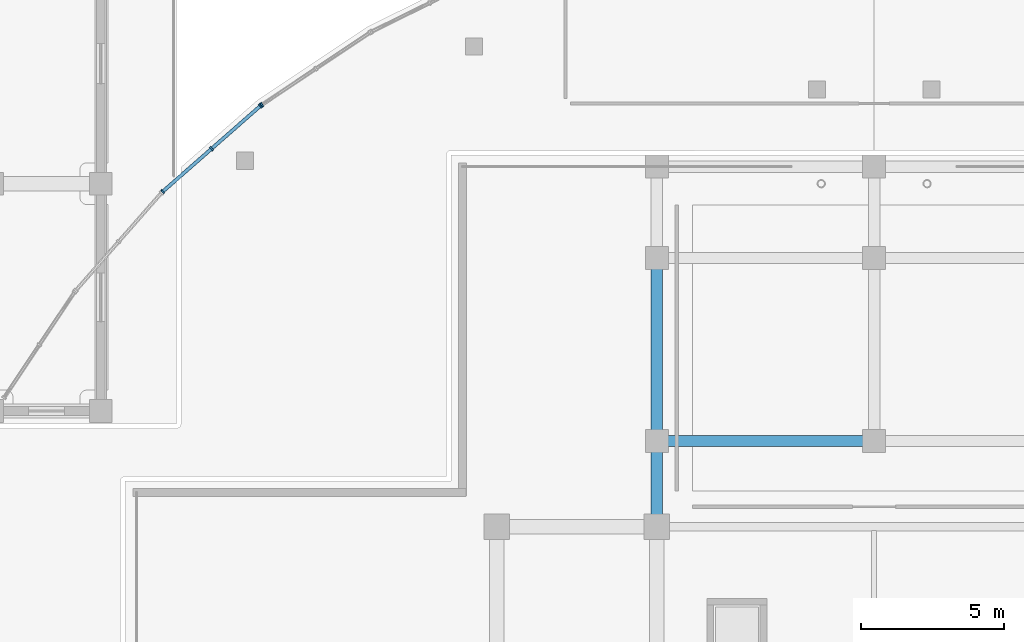
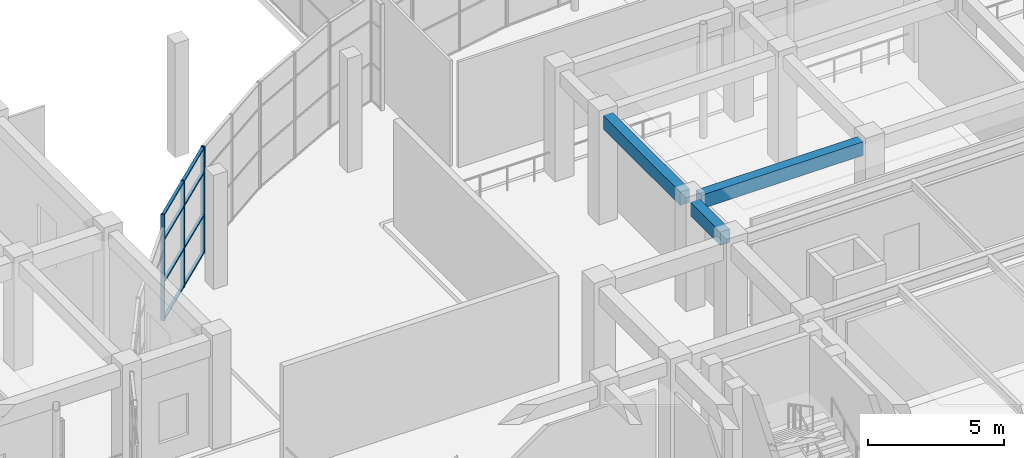
# One storey, part 37 of 99: 12 members, 3 beams, 2 elements without a shape of their own.
"""IFC4 building model written with IfcOpenShell, lengths in metres."""

from ifc_helpers import new_model, si_unit, direction, frame, origin, origin_2d, place, context, subcontext, project, spatial, rectangle, extrude, material, material_profile, profile_set, type_object, element, aggregate, save


model = new_model("IFC4")

# Units and contexts
model_context = context("Model", 3, precision=1e-05, world=origin(), true_north=direction((0.0, 1.0)))
body_context = subcontext(model_context, "Body", "Model", "MODEL_VIEW")
ifc_project = project(units=[si_unit("LENGTHUNIT", "METRE"), si_unit("AREAUNIT", "SQUARE_METRE"), si_unit("VOLUMEUNIT", "CUBIC_METRE"), si_unit("PLANEANGLEUNIT", "RADIAN"), si_unit("MASSUNIT", "GRAM", prefix="KILO")], contexts=[model_context])

# Site, building, storey
site_placement = place(None, origin())
site = spatial("IfcSite", under=ifc_project, at=site_placement, CompositionType="ELEMENT")
building_placement = place(site_placement, origin())
building = spatial("IfcBuilding", under=site, at=building_placement, Name="Saryqyr Civic Hall", CompositionType="ELEMENT")
storey_placement = place(building_placement, origin())
storey = spatial("IfcBuildingStorey", under=building, at=storey_placement, Name="L00", CompositionType="ELEMENT", Elevation=0.0)

# Curtain wall, member
ifc_material_1 = material(Name="Anodised aluminium and triple low-E glass", Category="aluminium")
curtain_wall_type = type_object("IfcCurtainWallType", Name="ENV-CW-STD-67", PredefinedType="NOTDEFINED", material=ifc_material_1)
curtain_wall_1_placement = place(storey_placement, origin())
curtain_wall_1 = element("IfcCurtainWall", 1, at=curtain_wall_1_placement, inside=storey, type_object=curtain_wall_type, Name="Curtain wall V2-PERIM-CW-L00-16", PredefinedType="NOTDEFINED")
ifc_material_2 = material(Name="Anodised aluminium", Category="aluminium")
ifc_material_profile_1 = material_profile(ifc_material_2, rectangle(XDim=0.06005859375, YDim=0.159912109375, at=origin_2d()), Name="ALU MULLION 60x160")
ifc_profile_set_1 = profile_set([ifc_material_profile_1], Name="Anodised aluminium")
member_type_1 = type_object("IfcMemberType", Name="ENV-CW-MUL-180", PredefinedType="MULLION", material=ifc_profile_set_1)
member_1_placement = place(storey_placement, frame((35.584228515625, 111.95849609375, 0.0), z_axis=(0.0, 0.0, 1.0), x_axis=(0.831472128078, 0.555566467877, 0.0)))
member_1 = element("IfcMember", 2, at=member_1_placement, type_object=member_type_1, Name="CW-67 mullion 1", PredefinedType="MULLION", context=body_context, shape_type="SweptSolid", body=[
    extrude(rectangle(XDim=0.06005859375, YDim=0.159912109375, at=origin_2d()), origin(), (0.0, 0.0, 1.0), 4.75),
])
aggregate(curtain_wall_1, [member_1])

# Curtain wall, members
curtain_wall_2_placement = place(storey_placement, origin())
curtain_wall_2 = element("IfcCurtainWall", 3, at=curtain_wall_2_placement, inside=storey, type_object=curtain_wall_type, Name="Curtain wall V2-PERIM-CW-L00-17", PredefinedType="NOTDEFINED")
member_2_placement = place(storey_placement, frame((32.1181640625, 108.924072265625, 0.0), z_axis=(0.0, 0.0, 1.0), x_axis=(0.751838018573, 0.659347854951, 0.0)))
member_2 = element("IfcMember", 4, at=member_2_placement, type_object=member_type_1, Name="CW-67 mullion 1", PredefinedType="MULLION", context=body_context, shape_type="SweptSolid", body=[
    extrude(rectangle(XDim=0.06005859375, YDim=0.159912109375, at=origin_2d()), origin(), (0.0, 0.0, 1.0), 4.75),
])
member_3_placement = place(storey_placement, frame((33.82763671875, 110.423095703125, 0.0), z_axis=(0.0, 0.0, 1.0), x_axis=(0.751838018573, 0.659347854951, 0.0)))
member_3 = element("IfcMember", 5, at=member_3_placement, type_object=member_type_1, Name="CW-67 mullion 2", PredefinedType="MULLION", context=body_context, shape_type="SweptSolid", body=[
    extrude(rectangle(XDim=0.06005859375, YDim=0.159912109375, at=origin_2d()), origin(), (0.0, 0.0, 1.0), 4.75),
])
member_4_placement = place(storey_placement, frame((35.536865234375, 111.922119140625, 0.0), z_axis=(0.0, 0.0, 1.0), x_axis=(0.751838018573, 0.659347854951, 0.0)))
member_4 = element("IfcMember", 6, at=member_4_placement, type_object=member_type_1, Name="CW-67 mullion 3", PredefinedType="MULLION", context=body_context, shape_type="SweptSolid", body=[
    extrude(rectangle(XDim=0.06005859375, YDim=0.159912109375, at=origin_2d()), origin(), (0.0, 0.0, 1.0), 4.75),
])
ifc_material_profile_2 = material_profile(ifc_material_2, rectangle(XDim=0.1201171875, YDim=0.06005859375, at=origin_2d()), Name="ALU TRANSOM 120x60")
ifc_profile_set_2 = profile_set([ifc_material_profile_2], Name="Anodised aluminium")
member_type_2 = type_object("IfcMemberType", Name="ENV-CW-TRN-150", PredefinedType="USERDEFINED", material=ifc_profile_set_2)
member_5_placement = place(storey_placement, frame((32.140869140625, 108.94384765625, 0.030029296875), z_axis=(0.751810913025, 0.659378761453, 0.0), x_axis=(-0.659378761453, 0.751810913025, 0.0)))
member_5 = element("IfcMember", 7, at=member_5_placement, type_object=member_type_2, Name="CW-67 transom 1.1", ObjectType="TRANSOM", PredefinedType="USERDEFINED", context=body_context, shape_type="SweptSolid", body=[
    extrude(rectangle(XDim=0.1201171875, YDim=0.06005859375, at=origin_2d()), origin(), (0.0, 0.0, 1.0), 2.21337890625),
])
member_6_placement = place(storey_placement, frame((32.140869140625, 108.94384765625, 1.7099609375), z_axis=(0.751810913025, 0.659378761453, 0.0), x_axis=(-0.659378761453, 0.751810913025, 0.0)))
member_6 = element("IfcMember", 8, at=member_6_placement, type_object=member_type_2, Name="CW-67 transom 1.2", ObjectType="TRANSOM", PredefinedType="USERDEFINED", context=body_context, shape_type="SweptSolid", body=[
    extrude(rectangle(XDim=0.1201171875, YDim=0.06005859375, at=origin_2d()), origin(), (0.0, 0.0, 1.0), 2.21337890625),
])
member_7_placement = place(storey_placement, frame((32.140869140625, 108.94384765625, 3.610107421875), z_axis=(0.751810913025, 0.659378761453, 0.0), x_axis=(-0.659378761453, 0.751810913025, 0.0)))
member_7 = element("IfcMember", 9, at=member_7_placement, type_object=member_type_2, Name="CW-67 transom 1.3", ObjectType="TRANSOM", PredefinedType="USERDEFINED", context=body_context, shape_type="SweptSolid", body=[
    extrude(rectangle(XDim=0.1201171875, YDim=0.06005859375, at=origin_2d()), origin(), (0.0, 0.0, 1.0), 2.21337890625),
])
member_8_placement = place(storey_placement, frame((32.140869140625, 108.94384765625, 4.719970703125), z_axis=(0.751810913025, 0.659378761453, 0.0), x_axis=(-0.659378761453, 0.751810913025, 0.0)))
member_8 = element("IfcMember", 10, at=member_8_placement, type_object=member_type_2, Name="CW-67 transom 1.4", ObjectType="TRANSOM", PredefinedType="USERDEFINED", context=body_context, shape_type="SweptSolid", body=[
    extrude(rectangle(XDim=0.1201171875, YDim=0.06005859375, at=origin_2d()), origin(), (0.0, 0.0, 1.0), 2.21337890625),
])
member_9_placement = place(storey_placement, frame((33.85009765625, 110.44287109375, 0.030029296875), z_axis=(0.751858863723, 0.659324084984, 0.0), x_axis=(-0.659324084984, 0.751858863723, 0.0)))
member_9 = element("IfcMember", 11, at=member_9_placement, type_object=member_type_2, Name="CW-67 transom 2.1", ObjectType="TRANSOM", PredefinedType="USERDEFINED", context=body_context, shape_type="SweptSolid", body=[
    extrude(rectangle(XDim=0.1201171875, YDim=0.06005859375, at=origin_2d()), origin(), (0.0, 0.0, 1.0), 2.213623046875),
])
member_10_placement = place(storey_placement, frame((33.85009765625, 110.44287109375, 1.7099609375), z_axis=(0.751858863723, 0.659324084984, 0.0), x_axis=(-0.659324084984, 0.751858863723, 0.0)))
member_10 = element("IfcMember", 12, at=member_10_placement, type_object=member_type_2, Name="CW-67 transom 2.2", ObjectType="TRANSOM", PredefinedType="USERDEFINED", context=body_context, shape_type="SweptSolid", body=[
    extrude(rectangle(XDim=0.1201171875, YDim=0.06005859375, at=origin_2d()), origin(), (0.0, 0.0, 1.0), 2.213623046875),
])
member_11_placement = place(storey_placement, frame((33.85009765625, 110.44287109375, 3.610107421875), z_axis=(0.751858863723, 0.659324084984, 0.0), x_axis=(-0.659324084984, 0.751858863723, 0.0)))
member_11 = element("IfcMember", 13, at=member_11_placement, type_object=member_type_2, Name="CW-67 transom 2.3", ObjectType="TRANSOM", PredefinedType="USERDEFINED", context=body_context, shape_type="SweptSolid", body=[
    extrude(rectangle(XDim=0.1201171875, YDim=0.06005859375, at=origin_2d()), origin(), (0.0, 0.0, 1.0), 2.213623046875),
])
member_12_placement = place(storey_placement, frame((33.85009765625, 110.44287109375, 4.719970703125), z_axis=(0.751858863723, 0.659324084984, 0.0), x_axis=(-0.659324084984, 0.751858863723, 0.0)))
member_12 = element("IfcMember", 14, at=member_12_placement, type_object=member_type_2, Name="CW-67 transom 2.4", ObjectType="TRANSOM", PredefinedType="USERDEFINED", context=body_context, shape_type="SweptSolid", body=[
    extrude(rectangle(XDim=0.1201171875, YDim=0.06005859375, at=origin_2d()), origin(), (0.0, 0.0, 1.0), 2.213623046875),
])
aggregate(curtain_wall_2, [member_2, member_3, member_4, member_5, member_6, member_7, member_8, member_9, member_10, member_11, member_12])

# Beams
ifc_material_3 = material(Name="Concrete C35/45", Category="concrete")
ifc_material_profile_3 = material_profile(ifc_material_3, rectangle(XDim=0.39990234375, YDim=0.60009765625, at=origin_2d()), Name="RC 400x600")
ifc_profile_set_3 = profile_set([ifc_material_profile_3], Name="Concrete C35/45")
beam_type = type_object("IfcBeamType", Name="STR-BM-RC400x600", PredefinedType="BEAM", material=ifc_profile_set_3)
beam_1_placement = place(storey_placement, frame((49.39990234375, 100.574951171875, 4.52001953125), z_axis=(0.0, 1.0, 0.0), x_axis=(-1.0, 0.0, 0.0)))
element("IfcBeam", 15, at=beam_1_placement, inside=storey, type_object=beam_type, Name="Beam V1-TBM-30-L00", PredefinedType="BEAM", context=body_context, shape_type="SweptSolid", body=[
    extrude(rectangle(XDim=0.39990234375, YDim=0.60009765625, at=origin_2d()), origin(), (0.0, 0.0, 1.0), 5.650146484375),
])
beam_2_placement = place(storey_placement, frame((49.39990234375, 97.625, 4.52001953125), z_axis=(0.0, 1.0, 0.0), x_axis=(-1.0, 0.0, 0.0)))
element("IfcBeam", 16, at=beam_2_placement, inside=storey, type_object=beam_type, Name="Beam V1-TBM-49-L00", PredefinedType="BEAM", context=body_context, shape_type="SweptSolid", body=[
    extrude(rectangle(XDim=0.39990234375, YDim=0.60009765625, at=origin_2d()), origin(), (0.0, 0.0, 1.0), 2.199951171875),
])
beam_3_placement = place(storey_placement, frame((49.77490234375, 100.199951171875, 4.52001953125), z_axis=(1.0, 0.0, 0.0), x_axis=(0.0, 1.0, 0.0)))
element("IfcBeam", 17, at=beam_3_placement, inside=storey, type_object=beam_type, Name="Beam V1-TBM-57-L00", PredefinedType="BEAM", context=body_context, shape_type="SweptSolid", body=[
    extrude(rectangle(XDim=0.39990234375, YDim=0.60009765625, at=origin_2d()), origin(), (0.0, 0.0, 1.0), 6.85009765625),
])

save(model, "model.ifc")
